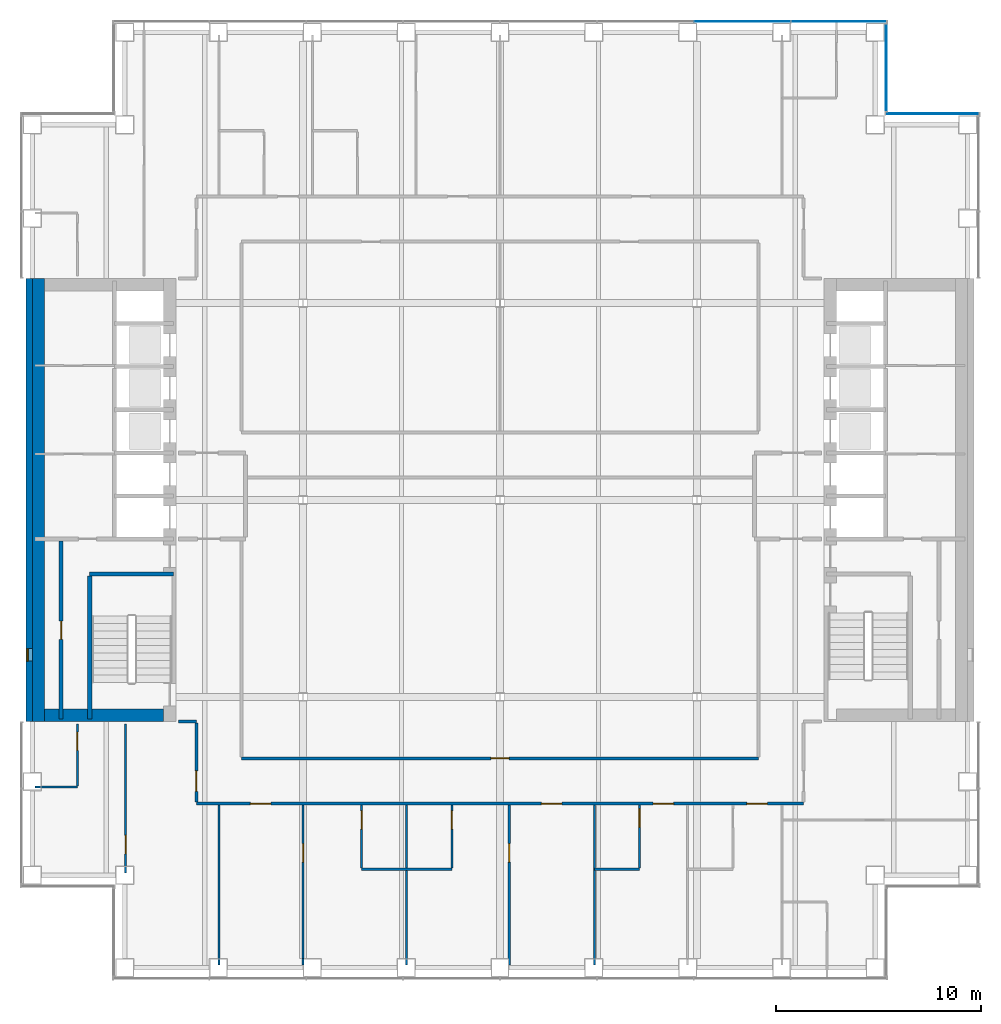
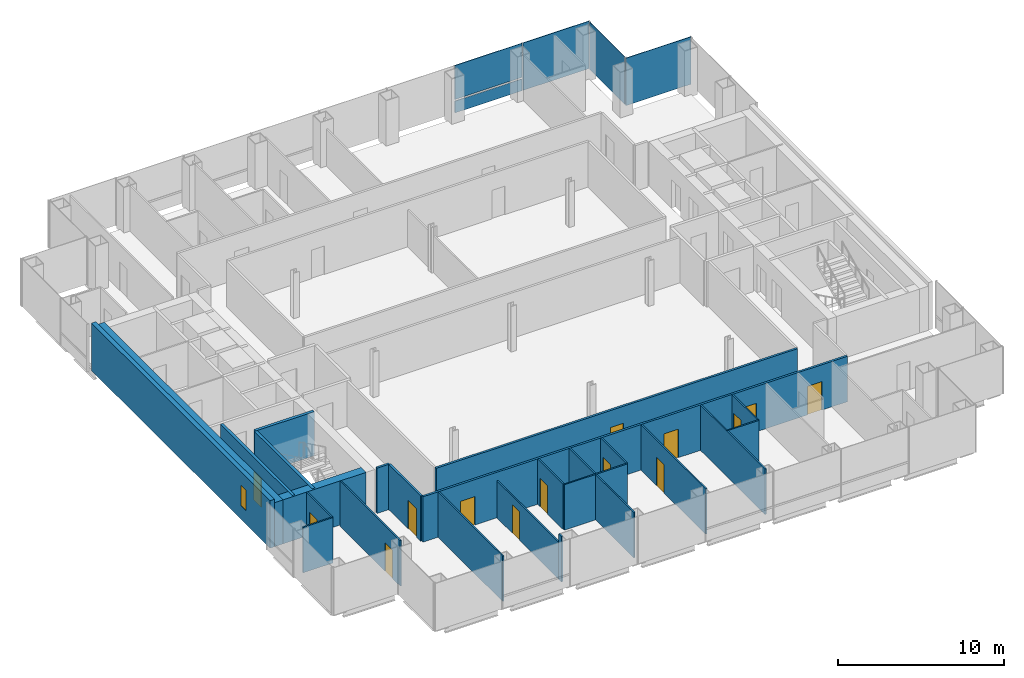
# One storey, part 10 of 15: 25 walls, 14 doors, 5 plates, 1 window, 15 openings, 3 elements without a shape of their own.
"""IFC4 building model written with IfcOpenShell, lengths in metres."""

from ifc_helpers import new_model, si_unit, direction, frame, frame_2d, origin, origin_2d, place, context, subcontext, project, spatial, rectangle, extrude, material, layer, layer_set, type_object, element, fill, aggregate, save


model = new_model("IFC4")

# Units and contexts
model_context = context("Model", 3, precision=1e-05, world=origin(), true_north=direction((0.0, 1.0)))
body_context = subcontext(model_context, "Body", "Model", "MODEL_VIEW")
ifc_project = project(units=[si_unit("LENGTHUNIT", "METRE"), si_unit("AREAUNIT", "SQUARE_METRE"), si_unit("VOLUMEUNIT", "CUBIC_METRE"), si_unit("PLANEANGLEUNIT", "RADIAN"), si_unit("MASSUNIT", "GRAM", prefix="KILO")], contexts=[model_context])

# Site, building, storey
site_placement = place(None, origin())
site = spatial("IfcSite", under=ifc_project, at=site_placement, CompositionType="ELEMENT")
building_placement = place(site_placement, origin())
building = spatial("IfcBuilding", under=site, at=building_placement, Name="Cobrizo Arcos Hotel Tower", CompositionType="ELEMENT")
storey_placement = place(building_placement, frame((0.0, 0.0, 99.5)))
storey = spatial("IfcBuildingStorey", under=building, at=storey_placement, Name="L24", CompositionType="ELEMENT", Elevation=99.5)

# Curtain wall, plate
ifc_material_1 = material(Name="Aluminium 6063-T6 anodised bronze", Category="aluminium")
curtain_wall_type = type_object("IfcCurtainWallType", Name="CW-A guest facade", PredefinedType="NOTDEFINED", material=ifc_material_1)
curtain_wall_1_placement = place(storey_placement, origin())
curtain_wall_1 = element("IfcCurtainWall", 1, at=curtain_wall_1_placement, inside=storey, type_object=curtain_wall_type, Name="CW-A L24 N face", PredefinedType="NOTDEFINED")
ifc_material_2 = material(Name="Glass clear laminated low-e", Category="glass")
ifc_layer_1 = layer(ifc_material_2, 0.0400390625)
ifc_layer_set_1 = layer_set([ifc_layer_1], Name="CW-A glass panel")
plate_type_1 = type_object("IfcPlateType", Name="CW-A glass panel", PredefinedType="CURTAIN_PANEL", material=ifc_layer_set_1)
plate_1_placement = place(storey_placement, frame((11.8125, 23.324951171875, 0.990234375), z_axis=(0.0, 0.0, 1.0), x_axis=(-1.0, 0.0, 0.0)))
plate_1 = element("IfcPlate", 2, at=plate_1_placement, type_object=plate_type_1, Name="CW-A glass panel 964", PredefinedType="CURTAIN_PANEL", context=body_context, shape_type="SweptSolid", body=[
    extrude(rectangle(XDim=4.6650390625, YDim=0.0400390625, at=origin_2d()), origin(), (0.0, 0.0, 1.0), 2.510009765625),
])

curtain_wall_2_placement = place(storey_placement, origin())
curtain_wall_2 = element("IfcCurtainWall", 3, at=curtain_wall_2_placement, inside=storey, type_object=curtain_wall_type, Name="CW-A L24 N face", PredefinedType="NOTDEFINED")
ifc_material_3 = material(Name="Aluminium composite panel pale metal", Category="aluminium")
ifc_layer_2 = layer(ifc_material_3, 0.0400390625)
ifc_layer_set_2 = layer_set([ifc_layer_2], Name="CW-A spandrel panel")
plate_type_2 = type_object("IfcPlateType", Name="CW-A spandrel panel", PredefinedType="CURTAIN_PANEL", material=ifc_layer_set_2)
plate_2_placement = place(storey_placement, frame((21.074951171875, 18.824951171875, 0.0), z_axis=(0.0, 0.0, 1.0), x_axis=(-1.0, 0.0, 0.0)))
plate_2 = element("IfcPlate", 4, at=plate_2_placement, type_object=plate_type_2, Name="CW-A spandrel panel 961", PredefinedType="CURTAIN_PANEL", context=body_context, shape_type="SweptSolid", body=[
    extrude(rectangle(XDim=4.530029296875, YDim=0.0400390625, at=origin_2d()), origin(), (0.0, 0.0, 1.0), 3.5),
])
aggregate(curtain_wall_2, [plate_2])

curtain_wall_3_placement = place(storey_placement, origin())
curtain_wall_3 = element("IfcCurtainWall", 5, at=curtain_wall_3_placement, inside=storey, type_object=curtain_wall_type, Name="CW-A L24 E face", PredefinedType="NOTDEFINED")
plate_3_placement = place(storey_placement, frame((18.824951171875, 21.074951171875, 0.0), z_axis=(0.0, 0.0, 1.0), x_axis=(0.0, 1.0, 0.0)))
plate_3 = element("IfcPlate", 6, at=plate_3_placement, type_object=plate_type_2, Name="CW-A spandrel panel 962", PredefinedType="CURTAIN_PANEL", context=body_context, shape_type="SweptSolid", body=[
    extrude(rectangle(XDim=4.22998046875, YDim=0.0400390625, at=origin_2d()), origin(), (0.0, 0.0, 1.0), 3.5),
])
aggregate(curtain_wall_3, [plate_3])

# Plate
plate_4_placement = place(storey_placement, frame((16.5224609375, 23.324951171875, 0.0), z_axis=(0.0, 0.0, 1.0), x_axis=(-1.0, 0.0, 0.0)))
plate_4 = element("IfcPlate", 7, at=plate_4_placement, type_object=plate_type_2, Name="CW-A spandrel panel 963", PredefinedType="CURTAIN_PANEL", context=body_context, shape_type="SweptSolid", body=[
    extrude(rectangle(XDim=4.635009765625, YDim=0.0400390625, at=origin_2d()), origin(), (0.0, 0.0, 1.0), 3.5),
])

plate_5_placement = place(storey_placement, frame((11.8125, 23.324951171875, 0.0), z_axis=(0.0, 0.0, 1.0), x_axis=(-1.0, 0.0, 0.0)))
plate_5 = element("IfcPlate", 8, at=plate_5_placement, type_object=plate_type_2, Name="CW-A spandrel panel 964", PredefinedType="CURTAIN_PANEL", context=body_context, shape_type="SweptSolid", body=[
    extrude(rectangle(XDim=4.6650390625, YDim=0.0400390625, at=origin_2d()), origin(), (0.0, 0.0, 1.0), 0.8701171875),
])

aggregate(curtain_wall_1, [plate_4, plate_5, plate_1])

# Wall, openings, doors
ifc_material_4 = material(Name="Gypsum board partition")
ifc_layer_3 = layer(ifc_material_4, 0.14990234375)
ifc_layer_set_3 = layer_set([ifc_layer_3], Name="Corridor wall EI 60 150")
wall_type_1 = type_object("IfcWallType", Name="Corridor wall EI 60 150", PredefinedType="PARTITIONING", material=ifc_layer_set_3)
wall_1_placement = place(storey_placement, frame((-14.800048828125, -14.800048828125, 0.0), z_axis=(0.0, 0.0, 1.0), x_axis=(1.0, 0.0, 0.0)))
wall_1 = element("IfcWall", 9, at=wall_1_placement, inside=storey, type_object=wall_type_1, Name="Partition 006", PredefinedType="PARTITIONING", context=body_context, shape_type="SweptSolid", body=[
    extrude(rectangle(XDim=29.60009765625, YDim=0.14990234375, at=frame_2d((14.800048828125, 0.0))), origin(), (0.0, 0.0, 1.0), 3.35009765625),
])
opening_1_placement = place(wall_1_placement, frame((2.634033203125, 0.0, 0.0)))
opening_1 = element("IfcOpeningElement", 10, at=opening_1_placement, cuts=wall_1, Name="Opening GD-03", PredefinedType="OPENING", context=body_context, shape_type="SweptSolid", body=[
    extrude(rectangle(XDim=1.0, YDim=2.10009765625, at=frame_2d((0.5, 1.050048828125))), frame((0.0, 0.0869140625, 0.0), z_axis=(0.0, -1.0, 0.0), x_axis=(1.0, 0.0, 0.0)), (0.0, 0.0, 1.0), 0.173828125),
])
opening_2_placement = place(wall_1_placement, frame((16.81591796875, 0.0, 0.0)))
opening_2 = element("IfcOpeningElement", 11, at=opening_2_placement, cuts=wall_1, Name="Opening GD-04", PredefinedType="OPENING", context=body_context, shape_type="SweptSolid", body=[
    extrude(rectangle(XDim=1.0, YDim=2.10009765625, at=frame_2d((0.5, 1.050048828125))), frame((0.0, 0.0869140625, 0.0), z_axis=(0.0, -1.0, 0.0), x_axis=(1.0, 0.0, 0.0)), (0.0, 0.0, 1.0), 0.173828125),
])
opening_3_placement = place(wall_1_placement, frame((22.262939453125, 0.0, 0.0)))
opening_3 = element("IfcOpeningElement", 12, at=opening_3_placement, cuts=wall_1, Name="Opening GD-05", PredefinedType="OPENING", context=body_context, shape_type="SweptSolid", body=[
    extrude(rectangle(XDim=1.0, YDim=2.10009765625, at=frame_2d((0.5, 1.050048828125))), frame((0.0, 0.0869140625, 0.0), z_axis=(0.0, -1.0, 0.0), x_axis=(1.0, 0.0, 0.0)), (0.0, 0.0, 1.0), 0.173828125),
])
opening_4_placement = place(wall_1_placement, frame((26.8369140625, 0.0, 0.0)))
opening_4 = element("IfcOpeningElement", 13, at=opening_4_placement, cuts=wall_1, Name="Opening GD-06", PredefinedType="OPENING", context=body_context, shape_type="SweptSolid", body=[
    extrude(rectangle(XDim=1.0, YDim=2.10009765625, at=frame_2d((0.5, 1.050048828125))), frame((0.0, 0.0869140625, 0.0), z_axis=(0.0, -1.0, 0.0), x_axis=(1.0, 0.0, 0.0)), (0.0, 0.0, 1.0), 0.173828125),
])
ifc_material_5 = material(Name="Timber door leaf", Category="wood")
door_type_1 = type_object("IfcDoorType", Name="Guest room door FD30S 1000x2100", OperationType="SINGLE_SWING_LEFT", PredefinedType="DOOR", material=ifc_material_5)
door_1_placement = place(opening_1_placement, origin())
door_1 = element("IfcDoor", 14, at=door_1_placement, inside=storey, type_object=door_type_1, Name="Door GD-03", OperationType="SINGLE_SWING_LEFT", OverallHeight=2.10009765625, OverallWidth=1.0, PredefinedType="DOOR", context=body_context, shape_type="SweptSolid", body=[
    extrude(rectangle(XDim=1.0, YDim=2.10009765625, at=frame_2d((0.5, 1.050048828125))), frame((0.0, 0.02490234375, 0.0), z_axis=(0.0, -1.0, 0.0), x_axis=(1.0, 0.0, 0.0)), (0.0, 0.0, 1.0), 0.050048828125),
])
fill(opening_1, door_1)
door_2_placement = place(opening_2_placement, origin())
door_2 = element("IfcDoor", 15, at=door_2_placement, inside=storey, type_object=door_type_1, Name="Door GD-04", OperationType="SINGLE_SWING_RIGHT", OverallHeight=2.10009765625, OverallWidth=1.0, PredefinedType="DOOR", context=body_context, shape_type="SweptSolid", body=[
    extrude(rectangle(XDim=1.0, YDim=2.10009765625, at=frame_2d((0.5, 1.050048828125))), frame((0.0, 0.02490234375, 0.0), z_axis=(0.0, -1.0, 0.0), x_axis=(1.0, 0.0, 0.0)), (0.0, 0.0, 1.0), 0.050048828125),
])
fill(opening_2, door_2)
door_3_placement = place(opening_3_placement, origin())
door_3 = element("IfcDoor", 16, at=door_3_placement, inside=storey, type_object=door_type_1, Name="Door GD-05", OperationType="SINGLE_SWING_LEFT", OverallHeight=2.10009765625, OverallWidth=1.0, PredefinedType="DOOR", context=body_context, shape_type="SweptSolid", body=[
    extrude(rectangle(XDim=1.0, YDim=2.10009765625, at=frame_2d((0.5, 1.050048828125))), frame((0.0, 0.02490234375, 0.0), z_axis=(0.0, -1.0, 0.0), x_axis=(1.0, 0.0, 0.0)), (0.0, 0.0, 1.0), 0.050048828125),
])
fill(opening_3, door_3)
door_4_placement = place(opening_4_placement, origin())
door_4 = element("IfcDoor", 17, at=door_4_placement, inside=storey, type_object=door_type_1, Name="Door GD-06", OperationType="SINGLE_SWING_RIGHT", OverallHeight=2.10009765625, OverallWidth=1.0, PredefinedType="DOOR", context=body_context, shape_type="SweptSolid", body=[
    extrude(rectangle(XDim=1.0, YDim=2.10009765625, at=frame_2d((0.5, 1.050048828125))), frame((0.0, 0.02490234375, 0.0), z_axis=(0.0, -1.0, 0.0), x_axis=(1.0, 0.0, 0.0)), (0.0, 0.0, 1.0), 0.050048828125),
])
fill(opening_4, door_4)

# Wall, opening, door
wall_2_placement = place(storey_placement, frame((-12.60009765625, -12.60009765625, 0.0), z_axis=(0.0, 0.0, 1.0), x_axis=(1.0, 0.0, 0.0)))
wall_2 = element("IfcWall", 18, at=wall_2_placement, inside=storey, type_object=wall_type_1, Name="Partition 008", PredefinedType="PARTITIONING", context=body_context, shape_type="SweptSolid", body=[
    extrude(rectangle(XDim=25.2001953125, YDim=0.14990234375, at=frame_2d((12.60009765625, 0.0))), origin(), (0.0, 0.0, 1.0), 3.35009765625),
])
opening_5_placement = place(wall_2_placement, frame((12.14990234375, 0.0, 0.0)))
opening_5 = element("IfcOpeningElement", 19, at=opening_5_placement, cuts=wall_2, Name="Opening RD-18", PredefinedType="OPENING", context=body_context, shape_type="SweptSolid", body=[
    extrude(rectangle(XDim=0.89990234375, YDim=2.10009765625, at=frame_2d((0.449951171875, 1.050048828125))), frame((0.0, 0.0869140625, 0.0), z_axis=(0.0, -1.0, 0.0), x_axis=(1.0, 0.0, 0.0)), (0.0, 0.0, 1.0), 0.173828125),
])
door_type_2 = type_object("IfcDoorType", Name="Room door FD30 900x2100", OperationType="SINGLE_SWING_LEFT", PredefinedType="DOOR", material=ifc_material_5)
door_5_placement = place(opening_5_placement, origin())
door_5 = element("IfcDoor", 20, at=door_5_placement, inside=storey, type_object=door_type_2, Name="Door RD-18", OperationType="SINGLE_SWING_RIGHT", OverallHeight=2.10009765625, OverallWidth=0.89990234375, PredefinedType="DOOR", context=body_context, shape_type="SweptSolid", body=[
    extrude(rectangle(XDim=0.89990234375, YDim=2.10009765625, at=frame_2d((0.449951171875, 1.050048828125))), frame((0.0, 0.02490234375, 0.0), z_axis=(0.0, -1.0, 0.0), x_axis=(1.0, 0.0, 0.0)), (0.0, 0.0, 1.0), 0.050048828125),
])
fill(opening_5, door_5)

# Wall
wall_3_placement = place(storey_placement, frame((-15.679931640625, -10.800048828125, 0.0), z_axis=(0.0, 0.0, 1.0), x_axis=(1.0, 0.0, 0.0)))
element("IfcWall", 21, at=wall_3_placement, inside=storey, type_object=wall_type_1, Name="Partition 009", PredefinedType="PARTITIONING", context=body_context, shape_type="SweptSolid", body=[
    extrude(rectangle(XDim=0.8798828125, YDim=0.14990234375, at=frame_2d((0.43994140625, 0.0))), origin(), (0.0, 0.0, 1.0), 3.35009765625),
])

# Wall, opening, door
wall_4_placement = place(storey_placement, frame((-14.800048828125, -14.72509765625, 0.0), z_axis=(0.0, 0.0, 1.0), x_axis=(0.0, 1.0, 0.0)))
wall_4 = element("IfcWall", 22, at=wall_4_placement, inside=storey, type_object=wall_type_1, Name="Partition 052", PredefinedType="PARTITIONING", context=body_context, shape_type="SweptSolid", body=[
    extrude(rectangle(XDim=3.85009765625, YDim=0.14990234375, at=frame_2d((1.925048828125, 0.0))), origin(), (0.0, 0.0, 1.0), 3.35009765625),
])
opening_6_placement = place(wall_4_placement, frame((0.52490234375, 0.0, 0.0)))
opening_6 = element("IfcOpeningElement", 23, at=opening_6_placement, cuts=wall_4, Name="Opening GD-07", PredefinedType="OPENING", context=body_context, shape_type="SweptSolid", body=[
    extrude(rectangle(XDim=1.0, YDim=2.10009765625, at=frame_2d((0.5, 1.050048828125))), frame((0.0, 0.0869140625, 0.0), z_axis=(0.0, -1.0, 0.0), x_axis=(1.0, 0.0, 0.0)), (0.0, 0.0, 1.0), 0.173828125),
])
door_6_placement = place(opening_6_placement, origin())
door_6 = element("IfcDoor", 24, at=door_6_placement, inside=storey, type_object=door_type_1, Name="Door GD-07", OperationType="SINGLE_SWING_LEFT", OverallHeight=2.10009765625, OverallWidth=1.0, PredefinedType="DOOR", context=body_context, shape_type="SweptSolid", body=[
    extrude(rectangle(XDim=1.0, YDim=2.10009765625, at=frame_2d((0.5, 1.050048828125))), frame((0.0, 0.02490234375, 0.0), z_axis=(0.0, -1.0, 0.0), x_axis=(1.0, 0.0, 0.0)), (0.0, 0.0, 1.0), 0.050048828125),
])
fill(opening_6, door_6)

# Wall, opening, window
ifc_layer_4 = layer(ifc_material_3, 0.300048828125)
ifc_layer_set_4 = layer_set([ifc_layer_4], Name="EW-1 insulated panel wall 300")
wall_type_2 = type_object("IfcWallType", Name="EW-1 insulated panel wall 300", PredefinedType="SOLIDWALL", material=ifc_layer_set_4)
wall_5_placement = place(storey_placement, frame((-22.949951171875, 10.800048828125, 0.0), z_axis=(0.0, 0.0, 1.0), x_axis=(0.0, -1.0, 0.0)))
wall_5 = element("IfcWall", 25, at=wall_5_placement, inside=storey, type_object=wall_type_2, Name="Core face wall L24 W", PredefinedType="SOLIDWALL", context=body_context, shape_type="SweptSolid", body=[
    extrude(rectangle(XDim=21.60009765625, YDim=0.300048828125, at=frame_2d((10.800048828125, 0.0))), origin(), (0.0, 0.0, 1.0), 3.5),
])
opening_7_placement = place(wall_5_placement, frame((18.050048828125, 0.0, 1.0)))
opening_7 = element("IfcOpeningElement", 26, at=opening_7_placement, cuts=wall_5, Name="Opening W-50", PredefinedType="OPENING", context=body_context, shape_type="SweptSolid", body=[
    extrude(rectangle(XDim=0.60009765625, YDim=1.5, at=frame_2d((0.300048828125, 0.75))), frame((0.0, 0.162109375, 0.0), z_axis=(0.0, -1.0, 0.0), x_axis=(1.0, 0.0, 0.0)), (0.0, 0.0, 1.0), 0.323974609375),
])
ifc_material_6 = material(Name="Aluminium 6063-T6 and clear laminated glass", Category="aluminium")
window_type = type_object("IfcWindowType", Name="W-C1 core stair slot window 600x1500", PartitioningType="SINGLE_PANEL", PredefinedType="WINDOW", material=ifc_material_6)
window_placement = place(opening_7_placement, origin())
window = element("IfcWindow", 27, at=window_placement, inside=storey, type_object=window_type, Name="Core face wall L24 W window W-50", OverallHeight=1.5, OverallWidth=0.60009765625, PartitioningType="SINGLE_PANEL", PredefinedType="WINDOW", context=body_context, shape_type="SweptSolid", body=[
    extrude(rectangle(XDim=0.60009765625, YDim=1.5, at=frame_2d((0.300048828125, 0.75))), frame((0.0, -0.06005859375, 0.0), z_axis=(0.0, -1.0, 0.0), x_axis=(1.0, 0.0, 0.0)), (0.0, 0.0, 1.0), 0.06005859375),
])
fill(opening_7, window)

# Walls
ifc_layer_5 = layer(ifc_material_4, 0.10009765625)
ifc_layer_set_5 = layer_set([ifc_layer_5], Name="Partition EI 30 100")
wall_type_3 = type_object("IfcWallType", Name="Partition EI 30 100", PredefinedType="PARTITIONING", material=ifc_layer_set_5)
wall_6_placement = place(storey_placement, frame((-6.75, -18.0, 0.0), z_axis=(0.0, 0.0, 1.0), x_axis=(1.0, 0.0, 0.0)))
element("IfcWall", 28, at=wall_6_placement, inside=storey, type_object=wall_type_3, Name="Partition 002", PredefinedType="PARTITIONING", context=body_context, shape_type="SweptSolid", body=[
    extrude(rectangle(XDim=4.39990234375, YDim=0.10009765625, at=frame_2d((2.199951171875, 0.0))), origin(), (0.0, 0.0, 1.0), 3.35009765625),
])
wall_7_placement = place(storey_placement, frame((4.60009765625, -18.0, 0.0), z_axis=(0.0, 0.0, 1.0), x_axis=(1.0, 0.0, 0.0)))
element("IfcWall", 29, at=wall_7_placement, inside=storey, type_object=wall_type_3, Name="Partition 003", PredefinedType="PARTITIONING", context=body_context, shape_type="SweptSolid", body=[
    extrude(rectangle(XDim=2.199951171875, YDim=0.10009765625, at=frame_2d((1.10009765625, 0.0))), origin(), (0.0, 0.0, 1.0), 3.35009765625),
])
wall_8_placement = place(storey_placement, frame((-22.679931640625, -14.0, 0.0), z_axis=(0.0, 0.0, 1.0), x_axis=(1.0, 0.0, 0.0)))
element("IfcWall", 30, at=wall_8_placement, inside=storey, type_object=wall_type_3, Name="Partition 007", PredefinedType="PARTITIONING", context=body_context, shape_type="SweptSolid", body=[
    extrude(rectangle(XDim=2.079833984375, YDim=0.10009765625, at=frame_2d((1.0400390625, 0.0))), origin(), (0.0, 0.0, 1.0), 3.35009765625),
])

# Wall, opening, door
wall_9_placement = place(storey_placement, frame((-20.60009765625, -13.949951171875, 0.0), z_axis=(0.0, 0.0, 1.0), x_axis=(0.0, 1.0, 0.0)))
wall_9 = element("IfcWall", 31, at=wall_9_placement, inside=storey, type_object=wall_type_3, Name="Partition 044", PredefinedType="PARTITIONING", context=body_context, shape_type="SweptSolid", body=[
    extrude(rectangle(XDim=3.030029296875, YDim=0.10009765625, at=frame_2d((1.51513671875, 0.0))), origin(), (0.0, 0.0, 1.0), 3.35009765625),
])
opening_8_placement = place(wall_9_placement, frame((1.739990234375, 0.0, 0.0)))
opening_8 = element("IfcOpeningElement", 32, at=opening_8_placement, cuts=wall_9, Name="Opening ED-07", PredefinedType="OPENING", context=body_context, shape_type="SweptSolid", body=[
    extrude(rectangle(XDim=0.89990234375, YDim=2.10009765625, at=frame_2d((0.449951171875, 1.050048828125))), frame((0.0, 0.06201171875, 0.0), z_axis=(0.0, -1.0, 0.0), x_axis=(1.0, 0.0, 0.0)), (0.0, 0.0, 1.0), 0.1240234375),
])
door_type_3 = type_object("IfcDoorType", Name="En-suite door 900x2100", OperationType="SINGLE_SWING_LEFT", PredefinedType="DOOR", material=ifc_material_5)
door_7_placement = place(opening_8_placement, origin())
door_7 = element("IfcDoor", 33, at=door_7_placement, inside=storey, type_object=door_type_3, Name="Door ED-07", OperationType="SINGLE_SWING_LEFT", OverallHeight=2.10009765625, OverallWidth=0.89990234375, PredefinedType="DOOR", context=body_context, shape_type="SweptSolid", body=[
    extrude(rectangle(XDim=0.89990234375, YDim=2.10009765625, at=frame_2d((0.449951171875, 1.050048828125))), frame((0.0, 0.02490234375, 0.0), z_axis=(0.0, -1.0, 0.0), x_axis=(1.0, 0.0, 0.0)), (0.0, 0.0, 1.0), 0.050048828125),
])
fill(opening_8, door_7)

wall_10_placement = place(storey_placement, frame((-18.25, -18.19091796875, 0.0), z_axis=(0.0, 0.0, 1.0), x_axis=(0.0, 1.0, 0.0)))
wall_10 = element("IfcWall", 34, at=wall_10_placement, inside=storey, type_object=wall_type_3, Name="Partition 050", PredefinedType="PARTITIONING", context=body_context, shape_type="SweptSolid", body=[
    extrude(rectangle(XDim=7.27099609375, YDim=0.10009765625, at=frame_2d((3.635498046875, 0.0))), origin(), (0.0, 0.0, 1.0), 3.35009765625),
])
opening_9_placement = place(wall_10_placement, frame((0.94091796875, 0.0, 0.0)))
opening_9 = element("IfcOpeningElement", 35, at=opening_9_placement, cuts=wall_10, Name="Opening RD-13", PredefinedType="OPENING", context=body_context, shape_type="SweptSolid", body=[
    extrude(rectangle(XDim=0.89990234375, YDim=2.10009765625, at=frame_2d((0.449951171875, 1.050048828125))), frame((0.0, 0.06201171875, 0.0), z_axis=(0.0, -1.0, 0.0), x_axis=(1.0, 0.0, 0.0)), (0.0, 0.0, 1.0), 0.1240234375),
])
door_8_placement = place(opening_9_placement, origin())
door_8 = element("IfcDoor", 36, at=door_8_placement, inside=storey, type_object=door_type_2, Name="Door RD-13", OperationType="SINGLE_SWING_RIGHT", OverallHeight=2.10009765625, OverallWidth=0.89990234375, PredefinedType="DOOR", context=body_context, shape_type="SweptSolid", body=[
    extrude(rectangle(XDim=0.89990234375, YDim=2.10009765625, at=frame_2d((0.449951171875, 1.050048828125))), frame((0.0, 0.02490234375, 0.0), z_axis=(0.0, -1.0, 0.0), x_axis=(1.0, 0.0, 0.0)), (0.0, 0.0, 1.0), 0.050048828125),
])
fill(opening_9, door_8)

# Walls
wall_11_placement = place(storey_placement, frame((-13.699951171875, -22.679931640625, 0.0), z_axis=(0.0, 0.0, 1.0), x_axis=(0.0, 1.0, 0.0)))
element("IfcWall", 37, at=wall_11_placement, inside=storey, type_object=wall_type_3, Name="Partition 054", PredefinedType="PARTITIONING", context=body_context, shape_type="SweptSolid", body=[
    extrude(rectangle(XDim=7.804931640625, YDim=0.10009765625, at=frame_2d((3.90234375, 0.0))), origin(), (0.0, 0.0, 1.0), 3.35009765625),
])
wall_12_placement = place(storey_placement, frame((-9.60009765625, -22.679931640625, 0.0), z_axis=(0.0, 0.0, 1.0), x_axis=(0.0, 1.0, 0.0)))
element("IfcWall", 38, at=wall_12_placement, inside=storey, type_object=wall_type_3, Name="Partition 060", PredefinedType="PARTITIONING", context=body_context, shape_type="SweptSolid", body=[
    extrude(rectangle(XDim=0.329833984375, YDim=0.10009765625, at=frame_2d((0.1650390625, 0.0))), origin(), (0.0, 0.0, 1.0), 3.35009765625),
])

# Wall, opening, door
wall_13_placement = place(storey_placement, frame((-9.60009765625, -22.35009765625, 0.0), z_axis=(0.0, 0.0, 1.0), x_axis=(0.0, 1.0, 0.0)))
wall_13 = element("IfcWall", 39, at=wall_13_placement, inside=storey, type_object=wall_type_3, Name="Partition 061", PredefinedType="PARTITIONING", context=body_context, shape_type="SweptSolid", body=[
    extrude(rectangle(XDim=7.47509765625, YDim=0.10009765625, at=frame_2d((3.737548828125, 0.0))), origin(), (0.0, 0.0, 1.0), 2.72802734375),
])
opening_10_placement = place(wall_13_placement, frame((4.699951171875, 0.0, 0.0)))
opening_10 = element("IfcOpeningElement", 40, at=opening_10_placement, cuts=wall_13, Name="Opening RD-11", PredefinedType="OPENING", context=body_context, shape_type="SweptSolid", body=[
    extrude(rectangle(XDim=0.89990234375, YDim=2.10009765625, at=frame_2d((0.449951171875, 1.050048828125))), frame((0.0, 0.06201171875, 0.0), z_axis=(0.0, -1.0, 0.0), x_axis=(1.0, 0.0, 0.0)), (0.0, 0.0, 1.0), 0.1240234375),
])
door_9_placement = place(opening_10_placement, origin())
door_9 = element("IfcDoor", 41, at=door_9_placement, inside=storey, type_object=door_type_2, Name="Door RD-11", OperationType="SINGLE_SWING_LEFT", OverallHeight=2.10009765625, OverallWidth=0.89990234375, PredefinedType="DOOR", context=body_context, shape_type="SweptSolid", body=[
    extrude(rectangle(XDim=0.89990234375, YDim=2.10009765625, at=frame_2d((0.449951171875, 1.050048828125))), frame((0.0, 0.02490234375, 0.0), z_axis=(0.0, -1.0, 0.0), x_axis=(1.0, 0.0, 0.0)), (0.0, 0.0, 1.0), 0.050048828125),
])
fill(opening_10, door_9)

wall_14_placement = place(storey_placement, frame((-6.75, -17.949951171875, 0.0), z_axis=(0.0, 0.0, 1.0), x_axis=(0.0, 1.0, 0.0)))
wall_14 = element("IfcWall", 42, at=wall_14_placement, inside=storey, type_object=wall_type_3, Name="Partition 064", PredefinedType="PARTITIONING", context=body_context, shape_type="SweptSolid", body=[
    extrude(rectangle(XDim=3.074951171875, YDim=0.10009765625, at=frame_2d((1.53759765625, 0.0))), origin(), (0.0, 0.0, 1.0), 3.35009765625),
])
opening_11_placement = place(wall_14_placement, frame((1.89990234375, 0.0, 0.0)))
opening_11 = element("IfcOpeningElement", 43, at=opening_11_placement, cuts=wall_14, Name="Opening ED-03", PredefinedType="OPENING", context=body_context, shape_type="SweptSolid", body=[
    extrude(rectangle(XDim=0.89990234375, YDim=2.10009765625, at=frame_2d((0.449951171875, 1.050048828125))), frame((0.0, 0.06201171875, 0.0), z_axis=(0.0, -1.0, 0.0), x_axis=(1.0, 0.0, 0.0)), (0.0, 0.0, 1.0), 0.1240234375),
])
door_10_placement = place(opening_11_placement, origin())
door_10 = element("IfcDoor", 44, at=door_10_placement, inside=storey, type_object=door_type_3, Name="Door ED-03", OperationType="SINGLE_SWING_RIGHT", OverallHeight=2.10009765625, OverallWidth=0.89990234375, PredefinedType="DOOR", context=body_context, shape_type="SweptSolid", body=[
    extrude(rectangle(XDim=0.89990234375, YDim=2.10009765625, at=frame_2d((0.449951171875, 1.050048828125))), frame((0.0, 0.02490234375, 0.0), z_axis=(0.0, -1.0, 0.0), x_axis=(1.0, 0.0, 0.0)), (0.0, 0.0, 1.0), 0.050048828125),
])
fill(opening_11, door_10)

# Walls
wall_15_placement = place(storey_placement, frame((-4.550048828125, -22.679931640625, 0.0), z_axis=(0.0, 0.0, 1.0), x_axis=(0.0, 1.0, 0.0)))
element("IfcWall", 45, at=wall_15_placement, inside=storey, type_object=wall_type_3, Name="Partition 065", PredefinedType="PARTITIONING", context=body_context, shape_type="SweptSolid", body=[
    extrude(rectangle(XDim=4.6298828125, YDim=0.10009765625, at=frame_2d((2.31494140625, 0.0))), origin(), (0.0, 0.0, 1.0), 3.35009765625),
])
wall_16_placement = place(storey_placement, frame((-4.550048828125, -17.949951171875, 0.0), z_axis=(0.0, 0.0, 1.0), x_axis=(0.0, 1.0, 0.0)))
element("IfcWall", 46, at=wall_16_placement, inside=storey, type_object=wall_type_3, Name="Partition 066", PredefinedType="PARTITIONING", context=body_context, shape_type="SweptSolid", body=[
    extrude(rectangle(XDim=3.074951171875, YDim=0.10009765625, at=frame_2d((1.53759765625, 0.0))), origin(), (0.0, 0.0, 1.0), 3.35009765625),
])

# Wall, opening, door
wall_17_placement = place(storey_placement, frame((-2.35009765625, -17.949951171875, 0.0), z_axis=(0.0, 0.0, 1.0), x_axis=(0.0, 1.0, 0.0)))
wall_17 = element("IfcWall", 47, at=wall_17_placement, inside=storey, type_object=wall_type_3, Name="Partition 068", PredefinedType="PARTITIONING", context=body_context, shape_type="SweptSolid", body=[
    extrude(rectangle(XDim=3.074951171875, YDim=0.10009765625, at=frame_2d((1.53759765625, 0.0))), origin(), (0.0, 0.0, 1.0), 3.35009765625),
])
opening_12_placement = place(wall_17_placement, frame((1.89990234375, 0.0, 0.0)))
opening_12 = element("IfcOpeningElement", 48, at=opening_12_placement, cuts=wall_17, Name="Opening ED-04", PredefinedType="OPENING", context=body_context, shape_type="SweptSolid", body=[
    extrude(rectangle(XDim=0.89990234375, YDim=2.10009765625, at=frame_2d((0.449951171875, 1.050048828125))), frame((0.0, 0.06201171875, 0.0), z_axis=(0.0, -1.0, 0.0), x_axis=(1.0, 0.0, 0.0)), (0.0, 0.0, 1.0), 0.1240234375),
])
door_11_placement = place(opening_12_placement, origin())
door_11 = element("IfcDoor", 49, at=door_11_placement, inside=storey, type_object=door_type_3, Name="Door ED-04", OperationType="SINGLE_SWING_RIGHT", OverallHeight=2.10009765625, OverallWidth=0.89990234375, PredefinedType="DOOR", context=body_context, shape_type="SweptSolid", body=[
    extrude(rectangle(XDim=0.89990234375, YDim=2.10009765625, at=frame_2d((0.449951171875, 1.050048828125))), frame((0.0, 0.02490234375, 0.0), z_axis=(0.0, -1.0, 0.0), x_axis=(1.0, 0.0, 0.0)), (0.0, 0.0, 1.0), 0.050048828125),
])
fill(opening_12, door_11)

wall_18_placement = place(storey_placement, frame((0.449951171875, -22.679931640625, 0.0), z_axis=(0.0, 0.0, 1.0), x_axis=(0.0, 1.0, 0.0)))
wall_18 = element("IfcWall", 50, at=wall_18_placement, inside=storey, type_object=wall_type_3, Name="Partition 074", PredefinedType="PARTITIONING", context=body_context, shape_type="SweptSolid", body=[
    extrude(rectangle(XDim=7.804931640625, YDim=0.10009765625, at=frame_2d((3.90234375, 0.0))), origin(), (0.0, 0.0, 1.0), 3.35009765625),
])
opening_13_placement = place(wall_18_placement, frame((5.030029296875, 0.0, 0.0)))
opening_13 = element("IfcOpeningElement", 51, at=opening_13_placement, cuts=wall_18, Name="Opening RD-12", PredefinedType="OPENING", context=body_context, shape_type="SweptSolid", body=[
    extrude(rectangle(XDim=0.89990234375, YDim=2.10009765625, at=frame_2d((0.449951171875, 1.050048828125))), frame((0.0, 0.06201171875, 0.0), z_axis=(0.0, -1.0, 0.0), x_axis=(1.0, 0.0, 0.0)), (0.0, 0.0, 1.0), 0.1240234375),
])
door_12_placement = place(opening_13_placement, origin())
door_12 = element("IfcDoor", 52, at=door_12_placement, inside=storey, type_object=door_type_2, Name="Door RD-12", OperationType="SINGLE_SWING_RIGHT", OverallHeight=2.10009765625, OverallWidth=0.89990234375, PredefinedType="DOOR", context=body_context, shape_type="SweptSolid", body=[
    extrude(rectangle(XDim=0.89990234375, YDim=2.10009765625, at=frame_2d((0.449951171875, 1.050048828125))), frame((0.0, 0.02490234375, 0.0), z_axis=(0.0, -1.0, 0.0), x_axis=(1.0, 0.0, 0.0)), (0.0, 0.0, 1.0), 0.050048828125),
])
fill(opening_13, door_12)

# Wall
wall_19_placement = place(storey_placement, frame((4.60009765625, -22.679931640625, 0.0), z_axis=(0.0, 0.0, 1.0), x_axis=(0.0, 1.0, 0.0)))
element("IfcWall", 53, at=wall_19_placement, inside=storey, type_object=wall_type_3, Name="Partition 075", PredefinedType="PARTITIONING", context=body_context, shape_type="SweptSolid", body=[
    extrude(rectangle(XDim=7.804931640625, YDim=0.10009765625, at=frame_2d((3.90234375, 0.0))), origin(), (0.0, 0.0, 1.0), 3.35009765625),
])

# Wall, opening, door
wall_20_placement = place(storey_placement, frame((6.800048828125, -17.949951171875, 0.0), z_axis=(0.0, 0.0, 1.0), x_axis=(0.0, 1.0, 0.0)))
wall_20 = element("IfcWall", 54, at=wall_20_placement, inside=storey, type_object=wall_type_3, Name="Partition 076", PredefinedType="PARTITIONING", context=body_context, shape_type="SweptSolid", body=[
    extrude(rectangle(XDim=3.074951171875, YDim=0.10009765625, at=frame_2d((1.53759765625, 0.0))), origin(), (0.0, 0.0, 1.0), 3.35009765625),
])
opening_14_placement = place(wall_20_placement, frame((1.99609375, 0.0, 0.0)))
opening_14 = element("IfcOpeningElement", 55, at=opening_14_placement, cuts=wall_20, Name="Opening ED-05", PredefinedType="OPENING", context=body_context, shape_type="SweptSolid", body=[
    extrude(rectangle(XDim=0.89990234375, YDim=2.10009765625, at=frame_2d((0.449951171875, 1.050048828125))), frame((0.0, 0.06201171875, 0.0), z_axis=(0.0, -1.0, 0.0), x_axis=(1.0, 0.0, 0.0)), (0.0, 0.0, 1.0), 0.1240234375),
])
door_13_placement = place(opening_14_placement, origin())
door_13 = element("IfcDoor", 56, at=door_13_placement, inside=storey, type_object=door_type_3, Name="Door ED-05", OperationType="SINGLE_SWING_LEFT", OverallHeight=2.10009765625, OverallWidth=0.89990234375, PredefinedType="DOOR", context=body_context, shape_type="SweptSolid", body=[
    extrude(rectangle(XDim=0.89990234375, YDim=2.10009765625, at=frame_2d((0.449951171875, 1.050048828125))), frame((0.0, 0.02490234375, 0.0), z_axis=(0.0, -1.0, 0.0), x_axis=(1.0, 0.0, 0.0)), (0.0, 0.0, 1.0), 0.050048828125),
])
fill(opening_14, door_13)

# Walls
ifc_material_7 = material(Name="Concrete f'c 50 MPa", Category="concrete")
ifc_layer_6 = layer(ifc_material_7, 0.60009765625)
ifc_layer_set_6 = layer_set([ifc_layer_6], Name="RC core wall 600 f'c 50")
wall_type_4 = type_object("IfcWallType", Name="RC core wall 600 f'c 50", PredefinedType="SHEAR", material=ifc_layer_set_6)
wall_21_placement = place(storey_placement, frame((-22.5, -10.800048828125, 0.0), z_axis=(0.0, 0.0, 1.0), x_axis=(0.0, 1.0, 0.0)))
element("IfcWall", 57, at=wall_21_placement, inside=storey, type_object=wall_type_4, Name="Core wall CW2, west core, outer face, L24", PredefinedType="SHEAR", context=body_context, shape_type="SweptSolid", body=[
    extrude(rectangle(XDim=21.60009765625, YDim=0.60009765625, at=frame_2d((10.800048828125, 0.0))), origin(), (0.0, 0.0, 1.0), 3.25),
])
wall_22_placement = place(storey_placement, frame((-22.199951171875, -10.5, 0.0), z_axis=(0.0, 0.0, 1.0), x_axis=(1.0, 0.0, 0.0)))
element("IfcWall", 58, at=wall_22_placement, inside=storey, type_object=wall_type_4, Name="Core wall CW2, west core, south end, L24", PredefinedType="SHEAR", context=body_context, shape_type="SweptSolid", body=[
    extrude(rectangle(XDim=5.800048828125, YDim=0.60009765625, at=frame_2d((2.89990234375, 0.0))), origin(), (0.0, 0.0, 1.0), 3.25),
])

# Wall, opening, door
ifc_layer_7 = layer(ifc_material_4, 0.199951171875)
ifc_layer_set_7 = layer_set([ifc_layer_7], Name="Shaft wall EI 120 200")
wall_type_5 = type_object("IfcWallType", Name="Shaft wall EI 120 200", PredefinedType="PARTITIONING", material=ifc_layer_set_7)
wall_23_placement = place(storey_placement, frame((-21.39990234375, -10.679931640625, 0.0), z_axis=(0.0, 0.0, 1.0), x_axis=(0.0, 1.0, 0.0)))
wall_23 = element("IfcWall", 59, at=wall_23_placement, inside=storey, type_object=wall_type_5, Name="Partition 043", PredefinedType="PARTITIONING", context=body_context, shape_type="SweptSolid", body=[
    extrude(rectangle(XDim=8.679931640625, YDim=0.199951171875, at=frame_2d((4.33984375, 0.0))), origin(), (0.0, 0.0, 1.0), 3.25),
])
opening_15_placement = place(wall_23_placement, frame((3.8798828125, 0.0, 0.0)))
opening_15 = element("IfcOpeningElement", 60, at=opening_15_placement, cuts=wall_23, Name="Opening RD-01", PredefinedType="OPENING", context=body_context, shape_type="SweptSolid", body=[
    extrude(rectangle(XDim=0.89990234375, YDim=2.10009765625, at=frame_2d((0.449951171875, 1.050048828125))), frame((0.0, 0.112060546875, 0.0), z_axis=(0.0, -1.0, 0.0), x_axis=(1.0, 0.0, 0.0)), (0.0, 0.0, 1.0), 0.223876953125),
])
door_14_placement = place(opening_15_placement, origin())
door_14 = element("IfcDoor", 61, at=door_14_placement, inside=storey, type_object=door_type_2, Name="Door RD-01", OperationType="SINGLE_SWING_LEFT", OverallHeight=2.10009765625, OverallWidth=0.89990234375, PredefinedType="DOOR", context=body_context, shape_type="SweptSolid", body=[
    extrude(rectangle(XDim=0.89990234375, YDim=2.10009765625, at=frame_2d((0.449951171875, 1.050048828125))), frame((0.0, 0.02490234375, 0.0), z_axis=(0.0, -1.0, 0.0), x_axis=(1.0, 0.0, 0.0)), (0.0, 0.0, 1.0), 0.050048828125),
])
fill(opening_15, door_14)

# Walls
ifc_material_8 = material(Name="Concrete f'c 40 MPa", Category="concrete")
ifc_layer_8 = layer(ifc_material_8, 0.199951171875)
ifc_layer_set_8 = layer_set([ifc_layer_8], Name="Stair shaft wall 200")
wall_type_6 = type_object("IfcWallType", Name="Stair shaft wall 200", PredefinedType="SHEAR", material=ifc_layer_set_8)
wall_24_placement = place(storey_placement, frame((-20.0, -3.60009765625, 0.0), z_axis=(0.0, 0.0, 1.0), x_axis=(1.0, 0.0, 0.0)))
element("IfcWall", 62, at=wall_24_placement, inside=storey, type_object=wall_type_6, Name="Stair shaft wall W", PredefinedType="SHEAR", context=body_context, shape_type="SweptSolid", body=[
    extrude(rectangle(XDim=4.080078125, YDim=0.199951171875, at=frame_2d((2.0400390625, 0.0))), origin(), (0.0, 0.0, 1.0), 3.25),
])
wall_25_placement = place(storey_placement, frame((-20.0, -10.679931640625, 0.0), z_axis=(0.0, 0.0, 1.0), x_axis=(0.0, 1.0, 0.0)))
element("IfcWall", 63, at=wall_25_placement, inside=storey, type_object=wall_type_6, Name="Stair shaft wall W", PredefinedType="SHEAR", context=body_context, shape_type="SweptSolid", body=[
    extrude(rectangle(XDim=6.97998046875, YDim=0.199951171875, at=frame_2d((3.489990234375, 0.0))), origin(), (0.0, 0.0, 1.0), 3.25),
])

save(model, "model.ifc")
